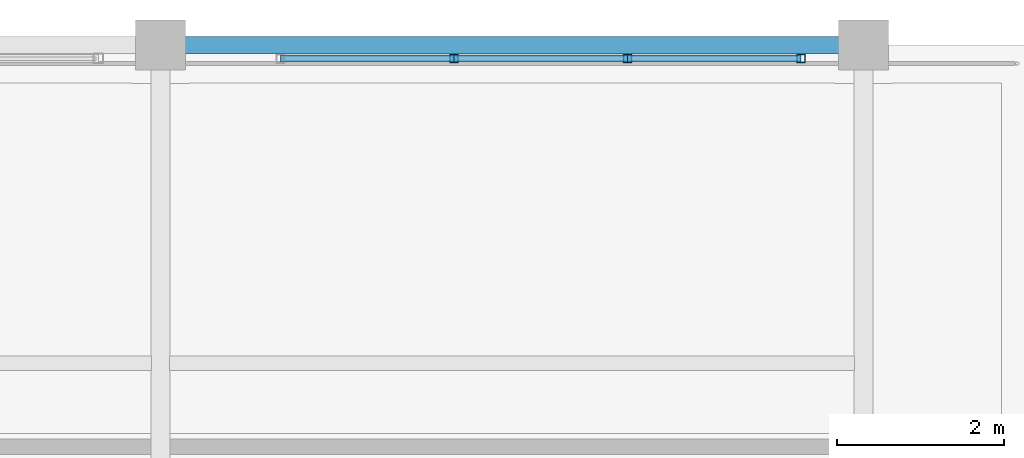
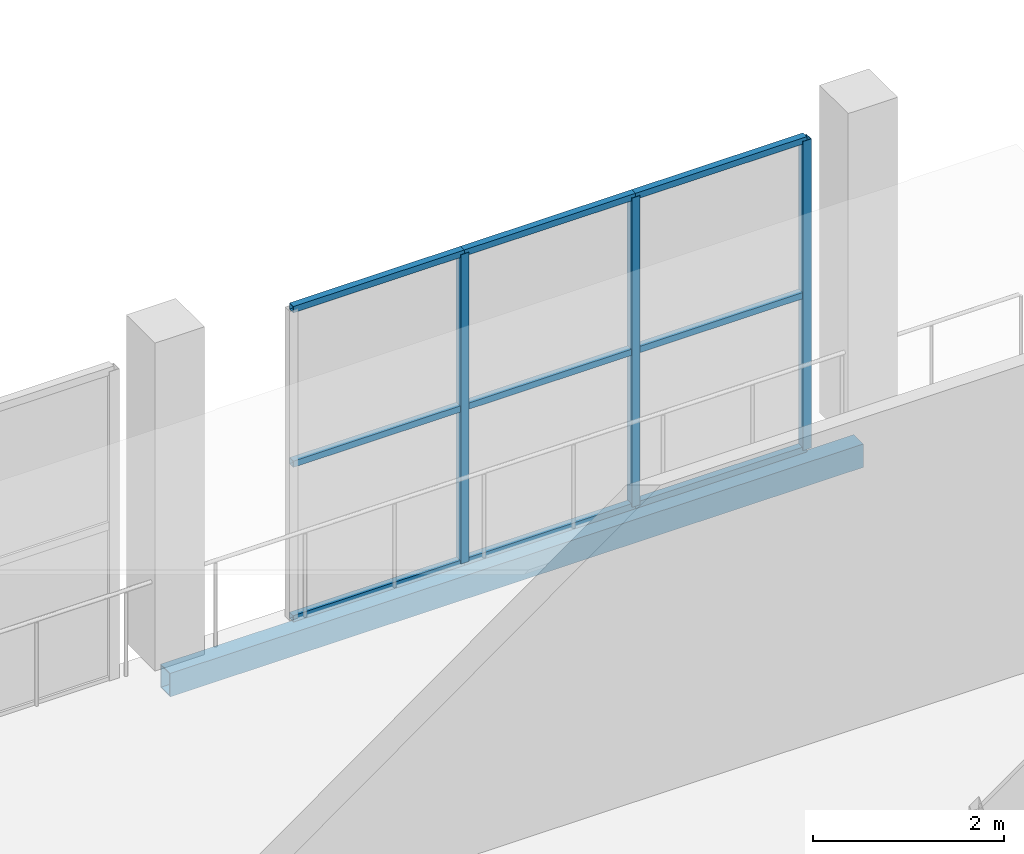
# One storey, part 74 of 151: 12 members, 1 beam, 1 element without a shape of its own.
"""IFC4 building model written with IfcOpenShell, lengths in metres."""

from ifc_helpers import new_model, si_unit, direction, frame, origin, origin_2d, place, context, subcontext, project, spatial, hollow_rectangle, extrude, material, material_profile, profile_set, type_object, element, aggregate, save


model = new_model("IFC4")

# Units and contexts
model_context = context("Model", 3, precision=1e-05, world=origin(), true_north=direction((0.0, 1.0)))
body_context = subcontext(model_context, "Body", "Model", "MODEL_VIEW")
ifc_project = project(units=[si_unit("LENGTHUNIT", "METRE"), si_unit("AREAUNIT", "SQUARE_METRE"), si_unit("VOLUMEUNIT", "CUBIC_METRE"), si_unit("PLANEANGLEUNIT", "RADIAN"), si_unit("MASSUNIT", "GRAM", prefix="KILO")], contexts=[model_context])

# Site, building, storey
site_placement = place(None, origin())
site = spatial("IfcSite", under=ifc_project, at=site_placement, CompositionType="ELEMENT")
building_placement = place(site_placement, origin())
building = spatial("IfcBuilding", under=site, at=building_placement, Name="Zuvorla Pavilion Media Centre", CompositionType="ELEMENT")
storey_placement = place(building_placement, frame((0.0, 0.0, 13.800048828125)))
storey = spatial("IfcBuildingStorey", under=building, at=storey_placement, Name="L03", CompositionType="ELEMENT", Elevation=13.800048828125)

# Beam
ifc_material_1 = material(Name="Steel S355", Category="steel")
ifc_material_profile_1 = material_profile(ifc_material_1, hollow_rectangle(XDim=0.199951171875, YDim=0.300048828125, WallThickness=0.012451171875, at=origin_2d()), Name="RHS 300x200x12.5")
ifc_profile_set_1 = profile_set([ifc_material_profile_1], Name="Steel S355")
beam_type = type_object("IfcBeamType", Name="BM-SP-RHS300", PredefinedType="SPANDREL", material=ifc_profile_set_1)
beam_placement = place(storey_placement, frame((83.60009765625, 89.60009765625, -0.407958984375), z_axis=(1.0, 0.0, 0.0), x_axis=(0.0, 1.0, 0.0)))
element("IfcBeam", 1, at=beam_placement, inside=storey, type_object=beam_type, Name="L03 spandrel SP01 1139", PredefinedType="SPANDREL", context=body_context, shape_type="SweptSolid", body=[
    extrude(hollow_rectangle(XDim=0.199951171875, YDim=0.300048828125, WallThickness=0.012451171875, at=origin_2d()), origin(), (0.0, 0.0, 1.0), 8.39990234375),
])

# Curtain wall, members
ifc_material_2 = material(Name="Unitised anodised aluminium and solar glass curtain wall", Category="aluminium")
curtain_wall_type = type_object("IfcCurtainWallType", Name="CW-SYS-20", PredefinedType="USERDEFINED", material=ifc_material_2)
curtain_wall_placement = place(storey_placement, origin())
curtain_wall = element("IfcCurtainWall", 2, at=curtain_wall_placement, inside=storey, type_object=curtain_wall_type, Name="L03 curtain wall CW20 113", ObjectType="CURTAIN WALL", PredefinedType="USERDEFINED")
ifc_material_3 = material(Name="Anodised aluminium 6063-T6", Category="aluminium")
ifc_material_profile_2 = material_profile(ifc_material_3, hollow_rectangle(XDim=0.10009765625, YDim=0.10009765625, WallThickness=0.00439453125, at=origin_2d()), Name="ALU MULL 100x100")
ifc_profile_set_2 = profile_set([ifc_material_profile_2], Name="Anodised aluminium 6063-T6")
member_type_1 = type_object("IfcMemberType", Name="CW-MULL-100", PredefinedType="MULLION", material=ifc_profile_set_2)
member_1_placement = place(storey_placement, frame((91.255615234375, 89.43994140625, 0.0), z_axis=(0.0, 0.0, 1.0), x_axis=(1.0, 0.0, 0.0)))
member_1 = element("IfcMember", 3, at=member_1_placement, type_object=member_type_1, Name="CW20 mullion 1", PredefinedType="MULLION", context=body_context, shape_type="SweptSolid", body=[
    extrude(hollow_rectangle(XDim=0.10009765625, YDim=0.10009765625, WallThickness=0.00439453125, at=origin_2d()), origin(), (0.0, 0.0, 1.0), 3.9599609375),
])
member_2_placement = place(storey_placement, frame((89.18212890625, 89.43994140625, 0.0), z_axis=(0.0, 0.0, 1.0), x_axis=(1.0, 0.0, 0.0)))
member_2 = element("IfcMember", 4, at=member_2_placement, type_object=member_type_1, Name="CW20 mullion 2", PredefinedType="MULLION", context=body_context, shape_type="SweptSolid", body=[
    extrude(hollow_rectangle(XDim=0.10009765625, YDim=0.10009765625, WallThickness=0.00439453125, at=origin_2d()), origin(), (0.0, 0.0, 1.0), 3.9599609375),
])
member_3_placement = place(storey_placement, frame((87.108642578125, 89.43994140625, 0.0), z_axis=(0.0, 0.0, 1.0), x_axis=(1.0, 0.0, 0.0)))
member_3 = element("IfcMember", 5, at=member_3_placement, type_object=member_type_1, Name="CW20 mullion 3", PredefinedType="MULLION", context=body_context, shape_type="SweptSolid", body=[
    extrude(hollow_rectangle(XDim=0.10009765625, YDim=0.10009765625, WallThickness=0.00439453125, at=origin_2d()), origin(), (0.0, 0.0, 1.0), 3.9599609375),
])
ifc_material_profile_3 = material_profile(ifc_material_3, hollow_rectangle(XDim=0.080078125, YDim=0.080078125, WallThickness=0.00390625, at=origin_2d()), Name="ALU TRAN 80x80")
ifc_profile_set_3 = profile_set([ifc_material_profile_3], Name="Anodised aluminium 6063-T6")
member_type_2 = type_object("IfcMemberType", Name="CW-TRAN-80", PredefinedType="USERDEFINED", material=ifc_profile_set_3)
member_4_placement = place(storey_placement, frame((91.255615234375, 89.43994140625, 0.0), z_axis=(-1.0, 0.0, 0.0), x_axis=(0.0, -1.0, 0.0)))
member_4 = element("IfcMember", 6, at=member_4_placement, type_object=member_type_2, Name="CW20 transom 1.1", ObjectType="TRANSOM", PredefinedType="USERDEFINED", context=body_context, shape_type="SweptSolid", body=[
    extrude(hollow_rectangle(XDim=0.080078125, YDim=0.080078125, WallThickness=0.00390625, at=origin_2d()), origin(), (0.0, 0.0, 1.0), 2.073486328125),
])
member_5_placement = place(storey_placement, frame((91.255615234375, 89.43994140625, 1.97998046875), z_axis=(-1.0, 0.0, 0.0), x_axis=(0.0, -1.0, 0.0)))
member_5 = element("IfcMember", 7, at=member_5_placement, type_object=member_type_2, Name="CW20 transom 1.2", ObjectType="TRANSOM", PredefinedType="USERDEFINED", context=body_context, shape_type="SweptSolid", body=[
    extrude(hollow_rectangle(XDim=0.080078125, YDim=0.080078125, WallThickness=0.00390625, at=origin_2d()), origin(), (0.0, 0.0, 1.0), 2.073486328125),
])
member_6_placement = place(storey_placement, frame((91.255615234375, 89.43994140625, 3.9599609375), z_axis=(-1.0, 0.0, 0.0), x_axis=(0.0, -1.0, 0.0)))
member_6 = element("IfcMember", 8, at=member_6_placement, type_object=member_type_2, Name="CW20 transom 1.3", ObjectType="TRANSOM", PredefinedType="USERDEFINED", context=body_context, shape_type="SweptSolid", body=[
    extrude(hollow_rectangle(XDim=0.080078125, YDim=0.080078125, WallThickness=0.00390625, at=origin_2d()), origin(), (0.0, 0.0, 1.0), 2.073486328125),
])
member_7_placement = place(storey_placement, frame((89.18212890625, 89.43994140625, 0.0), z_axis=(-1.0, 0.0, 0.0), x_axis=(0.0, -1.0, 0.0)))
member_7 = element("IfcMember", 9, at=member_7_placement, type_object=member_type_2, Name="CW20 transom 2.1", ObjectType="TRANSOM", PredefinedType="USERDEFINED", context=body_context, shape_type="SweptSolid", body=[
    extrude(hollow_rectangle(XDim=0.080078125, YDim=0.080078125, WallThickness=0.00390625, at=origin_2d()), origin(), (0.0, 0.0, 1.0), 2.073486328125),
])
member_8_placement = place(storey_placement, frame((89.18212890625, 89.43994140625, 1.97998046875), z_axis=(-1.0, 0.0, 0.0), x_axis=(0.0, -1.0, 0.0)))
member_8 = element("IfcMember", 10, at=member_8_placement, type_object=member_type_2, Name="CW20 transom 2.2", ObjectType="TRANSOM", PredefinedType="USERDEFINED", context=body_context, shape_type="SweptSolid", body=[
    extrude(hollow_rectangle(XDim=0.080078125, YDim=0.080078125, WallThickness=0.00390625, at=origin_2d()), origin(), (0.0, 0.0, 1.0), 2.073486328125),
])
member_9_placement = place(storey_placement, frame((89.18212890625, 89.43994140625, 3.9599609375), z_axis=(-1.0, 0.0, 0.0), x_axis=(0.0, -1.0, 0.0)))
member_9 = element("IfcMember", 11, at=member_9_placement, type_object=member_type_2, Name="CW20 transom 2.3", ObjectType="TRANSOM", PredefinedType="USERDEFINED", context=body_context, shape_type="SweptSolid", body=[
    extrude(hollow_rectangle(XDim=0.080078125, YDim=0.080078125, WallThickness=0.00390625, at=origin_2d()), origin(), (0.0, 0.0, 1.0), 2.073486328125),
])
member_10_placement = place(storey_placement, frame((87.108642578125, 89.43994140625, 0.0), z_axis=(-1.0, 0.0, 0.0), x_axis=(0.0, -1.0, 0.0)))
member_10 = element("IfcMember", 12, at=member_10_placement, type_object=member_type_2, Name="CW20 transom 3.1", ObjectType="TRANSOM", PredefinedType="USERDEFINED", context=body_context, shape_type="SweptSolid", body=[
    extrude(hollow_rectangle(XDim=0.080078125, YDim=0.080078125, WallThickness=0.00390625, at=origin_2d()), origin(), (0.0, 0.0, 1.0), 2.07373046875),
])
member_11_placement = place(storey_placement, frame((87.108642578125, 89.43994140625, 1.97998046875), z_axis=(-1.0, 0.0, 0.0), x_axis=(0.0, -1.0, 0.0)))
member_11 = element("IfcMember", 13, at=member_11_placement, type_object=member_type_2, Name="CW20 transom 3.2", ObjectType="TRANSOM", PredefinedType="USERDEFINED", context=body_context, shape_type="SweptSolid", body=[
    extrude(hollow_rectangle(XDim=0.080078125, YDim=0.080078125, WallThickness=0.00390625, at=origin_2d()), origin(), (0.0, 0.0, 1.0), 2.07373046875),
])
member_12_placement = place(storey_placement, frame((87.108642578125, 89.43994140625, 3.9599609375), z_axis=(-1.0, 0.0, 0.0), x_axis=(0.0, -1.0, 0.0)))
member_12 = element("IfcMember", 14, at=member_12_placement, type_object=member_type_2, Name="CW20 transom 3.3", ObjectType="TRANSOM", PredefinedType="USERDEFINED", context=body_context, shape_type="SweptSolid", body=[
    extrude(hollow_rectangle(XDim=0.080078125, YDim=0.080078125, WallThickness=0.00390625, at=origin_2d()), origin(), (0.0, 0.0, 1.0), 2.07373046875),
])
aggregate(curtain_wall, [member_1, member_2, member_3, member_4, member_5, member_6, member_7, member_8, member_9, member_10, member_11, member_12])

save(model, "model.ifc")
